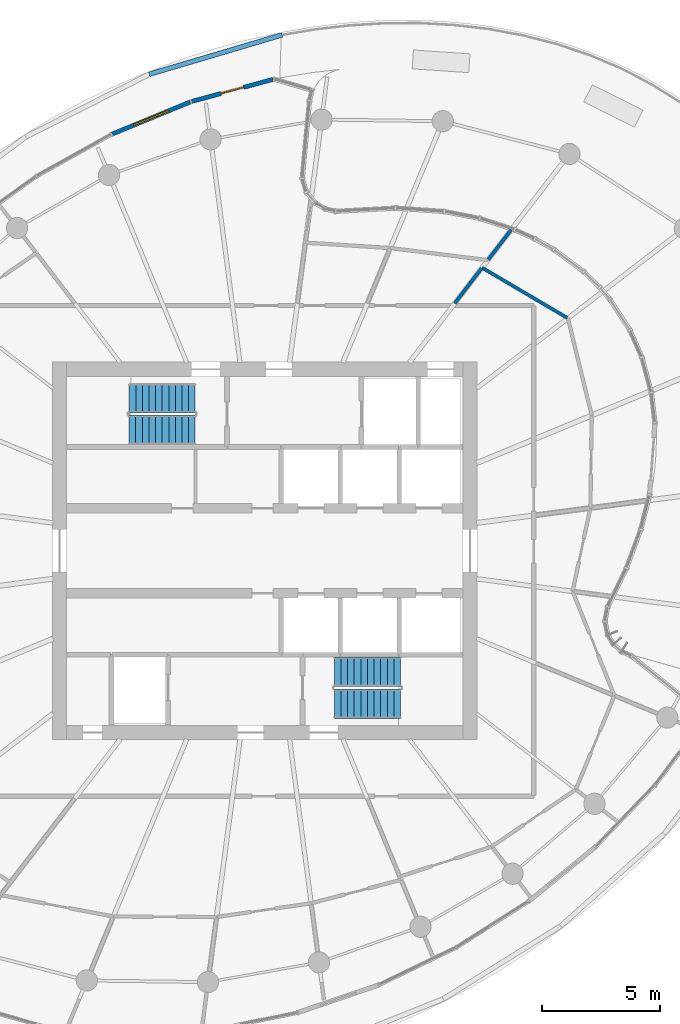
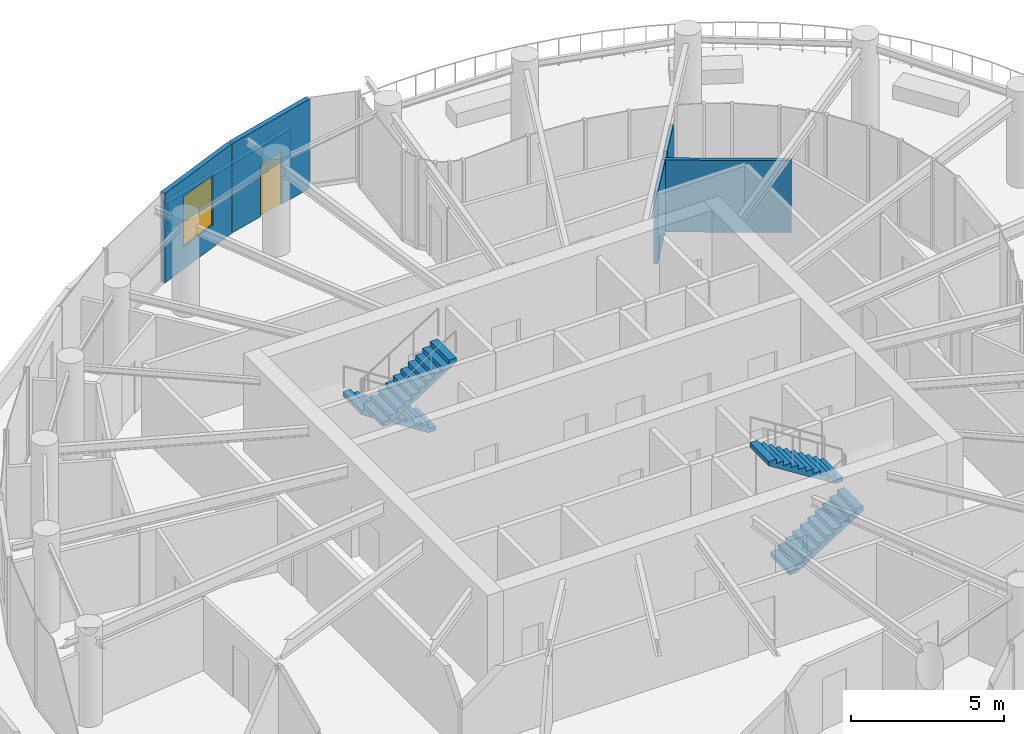
# One storey, part 15 of 19: 6 walls, 4 stair flights, 1 door, 1 window, 2 openings, 2 elements without a shape of their own.
"""IFC4 building model written with IfcOpenShell, lengths in metres."""

from ifc_helpers import new_model, si_unit, direction, frame, frame_2d, origin, place, context, subcontext, project, spatial, line, indexed_curve, rectangle, outline, extrude, source, transform, mapped, material, layer, layer_set, type_object, element, fill, aggregate, save


model = new_model("IFC4")

# Units and contexts
model_context = context("Model", 3, precision=1e-05, world=origin(), true_north=direction((0.0, 1.0)))
body_context = subcontext(model_context, "Body", "Model", "MODEL_VIEW")
ifc_project = project(units=[si_unit("LENGTHUNIT", "METRE"), si_unit("AREAUNIT", "SQUARE_METRE"), si_unit("VOLUMEUNIT", "CUBIC_METRE"), si_unit("PLANEANGLEUNIT", "RADIAN"), si_unit("MASSUNIT", "GRAM", prefix="KILO")], contexts=[model_context])

# Site, building, storey
site_placement = place(None, origin())
site = spatial("IfcSite", under=ifc_project, at=site_placement, CompositionType="ELEMENT")
building_placement = place(site_placement, origin())
building = spatial("IfcBuilding", under=site, at=building_placement, Name="Spindrift Exchange Tower", CompositionType="ELEMENT")
storey_placement = place(building_placement, frame((0.0, 0.0, 183.800048828125)))
storey = spatial("IfcBuildingStorey", under=building, at=storey_placement, Name="L44", CompositionType="ELEMENT", Elevation=183.800048828125)

# Wall
ifc_material_1 = material(Name="Concrete 40 MPa", Category="concrete")
ifc_layer_1 = layer(ifc_material_1, 0.199951171875)
ifc_layer_set_1 = layer_set([ifc_layer_1], Name="LEDGE PARAPET 1100")
wall_type_1 = type_object("IfcWallType", Name="LEDGE PARAPET 1100", PredefinedType="PARAPET", material=ifc_layer_set_1)
wall_1_placement = place(storey_placement, frame((47.103515625, 68.19921875, 0.0), z_axis=(0.0, 0.0, 1.0), x_axis=(0.958796433712, 0.284093996241, 0.0)))
element("IfcWall", 1, at=wall_1_placement, inside=storey, type_object=wall_type_1, Name="L44 Ledge Parapet 17", PredefinedType="PARAPET", context=body_context, shape_type="SweptSolid", body=[
    extrude(rectangle(XDim=5.86767578125, YDim=0.199951171875, at=frame_2d((2.933837890625, 0.0))), origin(), (0.0, 0.0, 1.0), 1.099853515625),
])

# Wall, opening, door
ifc_material_2 = material(Name="Bronze anodised aluminium frame with fritted laminated glass spandrel", Category="aluminium")
ifc_layer_2 = layer(ifc_material_2, 0.179931640625)
ifc_layer_set_2 = layer_set([ifc_layer_2], Name="UNITISED FRAME WALL")
wall_type_2 = type_object("IfcWallType", Name="UNITISED FRAME WALL", PredefinedType="STANDARD", material=ifc_layer_set_2)
wall_2_placement = place(storey_placement, frame((52.352294921875, 67.984619140625, 0.0), z_axis=(0.0, 0.0, 1.0), x_axis=(-0.964955707813, -0.262412808299, 0.0)))
wall_2 = element("IfcWall", 2, at=wall_2_placement, inside=storey, type_object=wall_type_2, Name="L44 Frame Wall 1", PredefinedType="STANDARD", context=body_context, shape_type="SweptSolid", body=[
    extrude(rectangle(XDim=3.5771484375, YDim=0.179931640625, at=frame_2d((1.78857421875, 0.0))), origin(), (0.0, 0.0, 1.0), 3.579833984375),
])
opening_1_placement = place(wall_2_placement, frame((1.288818359375, 0.0, 0.0)))
opening_1 = element("IfcOpeningElement", 3, at=opening_1_placement, cuts=wall_2, Name="Opening ED44-2", PredefinedType="OPENING", context=body_context, shape_type="SweptSolid", body=[
    extrude(rectangle(XDim=1.0, YDim=2.10009765625, at=frame_2d((0.5, 1.050048828125))), frame((0.0, 0.099853515625, 0.0), z_axis=(0.0, -1.0, 0.0), x_axis=(1.0, 0.0, 0.0)), (0.0, 0.0, 1.0), 0.199951171875),
])
ifc_material_3 = material(Name="Galvanised steel door leaf, polyester powder coat", Category="steel")
door_type = type_object("IfcDoorType", Name="MAINTENANCE ACCESS DOOR 1000X2100", OperationType="SINGLE_SWING_LEFT", PredefinedType="DOOR", material=ifc_material_3)
shared_shape_1 = source(origin(), body_context, "Body", "SweptSolid", [
    extrude(rectangle(XDim=1.0, YDim=2.10009765625, at=frame_2d((0.5, 1.050048828125))), frame((0.0, 0.02490234375, 0.0), z_axis=(0.0, -1.0, 0.0), x_axis=(1.0, 0.0, 0.0)), (0.0, 0.0, 1.0), 0.050048828125),
])
door_placement = place(opening_1_placement, origin())
door = element("IfcDoor", 4, at=door_placement, inside=storey, type_object=door_type, Name="L44 Maintenance Access Door ED44-2", OperationType="SINGLE_SWING_LEFT", OverallHeight=2.10009765625, OverallWidth=1.0, PredefinedType="DOOR", context=body_context, shape_type="MappedRepresentation", body=[
    mapped(shared_shape_1, transform((0.0, 0.0, 0.0), scale=1.0)),
])
fill(opening_1, door)

# Wall, opening, window
wall_3_placement = place(storey_placement, frame((48.8388671875, 67.02490234375, 0.0), z_axis=(0.0, 0.0, 1.0), x_axis=(-0.924793951739, -0.380468325655, 0.0)))
wall_3 = element("IfcWall", 5, at=wall_3_placement, inside=storey, type_object=wall_type_2, Name="L44 Frame Wall 2", PredefinedType="STANDARD", context=body_context, shape_type="SweptSolid", body=[
    extrude(rectangle(XDim=3.577392578125, YDim=0.179931640625, at=frame_2d((1.78857421875, 0.0))), origin(), (0.0, 0.0, 1.0), 3.579833984375),
])
opening_2_placement = place(wall_3_placement, frame((0.98876953125, 0.0, 0.89990234375)))
opening_2 = element("IfcOpeningElement", 6, at=opening_2_placement, cuts=wall_3, Name="Opening WV44-01", PredefinedType="OPENING", context=body_context, shape_type="SweptSolid", body=[
    extrude(rectangle(XDim=1.60009765625, YDim=2.0, at=frame_2d((0.800048828125, 1.0))), frame((0.0, 0.099853515625, 0.0), z_axis=(0.0, -1.0, 0.0), x_axis=(1.0, 0.0, 0.0)), (0.0, 0.0, 1.0), 0.199951171875),
])
ifc_material_4 = material(Name="Clear laminated low-iron glass in bronze frame", Category="glass")
window_type = type_object("IfcWindowType", Name="OPERABLE CLEAR VENT 1600X2000", PartitioningType="SINGLE_PANEL", PredefinedType="WINDOW", material=ifc_material_4)
shared_shape_2 = source(origin(), body_context, "Body", "SweptSolid", [
    extrude(rectangle(XDim=1.60009765625, YDim=2.0, at=frame_2d((0.800048828125, 1.0))), frame((0.0, 0.030029296875, 0.0), z_axis=(0.0, -1.0, 0.0), x_axis=(1.0, 0.0, 0.0)), (0.0, 0.0, 1.0), 0.06005859375),
])
window_placement = place(opening_2_placement, origin())
window = element("IfcWindow", 7, at=window_placement, inside=storey, type_object=window_type, Name="L44 Operable Vent WV44-01", OverallHeight=2.0, OverallWidth=1.60009765625, PartitioningType="SINGLE_PANEL", PredefinedType="WINDOW", context=body_context, shape_type="MappedRepresentation", body=[
    mapped(shared_shape_2, transform((0.0, 0.0, 0.0), scale=1.0)),
])
fill(opening_2, window)

# Walls
ifc_material_5 = material(Name="Fire-rated plasterboard partition", Category="gypsum")
ifc_layer_3 = layer(ifc_material_5, 0.139892578125)
ifc_layer_set_3 = layer_set([ifc_layer_3], Name="W-PART-140")
wall_type_3 = type_object("IfcWallType", Name="W-PART-140", PredefinedType="PARTITIONING", material=ifc_layer_set_3)
wall_4_placement = place(storey_placement, frame((64.820068359375, 57.8720703125, 0.0), z_axis=(0.0, 0.0, 1.0), x_axis=(-0.861535732384, 0.507696938957, 0.0)))
element("IfcWall", 8, at=wall_4_placement, inside=storey, type_object=wall_type_3, Name="L44 Partition wall 48", PredefinedType="PARTITIONING", context=body_context, shape_type="SweptSolid", body=[
    extrude(rectangle(XDim=4.1923828125, YDim=0.139892578125, at=frame_2d((2.09619140625, 0.0))), origin(), (0.0, 0.0, 1.0), 2.8798828125),
])
wall_5_placement = place(storey_placement, frame((60.04931640625, 58.489990234375, 0.0), z_axis=(0.0, 0.0, 1.0), x_axis=(0.60874059601, 0.793369325579, 0.0)))
element("IfcWall", 9, at=wall_5_placement, inside=storey, type_object=wall_type_3, Name="L44 Partition wall 70", PredefinedType="PARTITIONING", context=body_context, shape_type="SweptSolid", body=[
    extrude(rectangle(XDim=1.873779296875, YDim=0.139892578125, at=frame_2d((0.93701171875, 0.0))), origin(), (0.0, 0.0, 1.0), 2.8798828125),
])
wall_6_placement = place(storey_placement, frame((61.47216796875, 60.34423828125, 0.0), z_axis=(0.0, 0.0, 1.0), x_axis=(0.608719514622, 0.793385500572, 0.0)))
element("IfcWall", 10, at=wall_6_placement, inside=storey, type_object=wall_type_3, Name="L44 Partition wall 77", PredefinedType="PARTITIONING", context=body_context, shape_type="SweptSolid", body=[
    extrude(rectangle(XDim=1.583740234375, YDim=0.139892578125, at=frame_2d((0.7919921875, 0.0))), origin(), (0.0, 0.0, 1.0), 2.8798828125),
])

# Stair, stair flights
ifc_material_6 = material(Name="Concrete 50 MPa", Category="concrete")
stair_type = type_object("IfcStairType", Name="ST-1250-R177", PredefinedType="HALF_TURN_STAIR", material=ifc_material_6)
stair_1_placement = place(storey_placement, origin())
stair_1 = element("IfcStair", 11, at=stair_1_placement, inside=storey, type_object=stair_type, Name="L44 Exit stair ST1", PredefinedType="HALF_TURN_STAIR")
stair_flight_type = type_object("IfcStairFlightType", Name="STF-1250-R177", PredefinedType="STRAIGHT", material=ifc_material_6)
stair_flight_1_placement = place(storey_placement, frame((49.050048828125, 54.47509765625, 0.0), z_axis=(0.0, 0.0, 1.0), x_axis=(-1.0, 0.0, 0.0)))
stair_flight_1 = element("IfcStairFlight", 12, at=stair_flight_1_placement, type_object=stair_flight_type, Name="ST1 flight 1", NumberOfRisers=11, NumberOfTreads=10, PredefinedType="STRAIGHT", RiserHeight=0.177272727, TreadLength=0.28, context=body_context, shape_type="SweptSolid", body=[
    extrude(outline(indexed_curve([(0.0, 0.0), (0.0, 0.177734375), (0.2802734375, 0.177734375), (0.2802734375, 0.3544921875), (0.5595703125, 0.3544921875), (0.5595703125, 0.5322265625), (0.83984375, 0.5322265625), (0.83984375, 0.708984375), (1.1201171875, 0.708984375), (1.1201171875, 0.88671875), (1.400390625, 0.88671875), (1.400390625, 1.0634765625), (1.6796875, 1.0634765625), (1.6796875, 1.2412109375), (1.9599609375, 1.2412109375), (1.9599609375, 1.41796875), (2.240234375, 1.41796875), (2.240234375, 1.595703125), (2.51953125, 1.595703125), (2.51953125, 1.7724609375), (2.7998046875, 1.7724609375), (2.7998046875, 1.9501953125), (2.7998046875, 1.595703125), (0.2802734375, 0.0)], segments=[line(1, 2, 3, 4, 5, 6, 7, 8, 9, 10, 11, 12, 13, 14, 15, 16, 17, 18, 19, 20, 21, 22, 23, 24, 1)], self_intersect=False)), frame((0.0, 0.625, 0.0), z_axis=(0.0, -1.0, 0.0), x_axis=(1.0, 0.0, 0.0)), (0.0, 0.0, 1.0), 1.25),
])
stair_flight_2_placement = place(storey_placement, frame((46.25, 53.125, 1.949951171875), z_axis=(0.0, 0.0, 1.0), x_axis=(1.0, 0.0, 0.0)))
stair_flight_2 = element("IfcStairFlight", 13, at=stair_flight_2_placement, type_object=stair_flight_type, Name="ST1 flight 2", NumberOfRisers=11, NumberOfTreads=10, PredefinedType="STRAIGHT", RiserHeight=0.177272727, TreadLength=0.28, context=body_context, shape_type="SweptSolid", body=[
    extrude(outline(indexed_curve([(0.0, 0.0), (0.0, 0.177734375), (0.2802734375, 0.177734375), (0.2802734375, 0.3544921875), (0.5595703125, 0.3544921875), (0.5595703125, 0.5322265625), (0.83984375, 0.5322265625), (0.83984375, 0.708984375), (1.1201171875, 0.708984375), (1.1201171875, 0.88671875), (1.400390625, 0.88671875), (1.400390625, 1.0634765625), (1.6796875, 1.0634765625), (1.6796875, 1.2412109375), (1.9599609375, 1.2412109375), (1.9599609375, 1.41796875), (2.240234375, 1.41796875), (2.240234375, 1.595703125), (2.51953125, 1.595703125), (2.51953125, 1.7724609375), (2.7998046875, 1.7724609375), (2.7998046875, 1.9501953125), (2.7998046875, 1.595703125), (0.2802734375, 0.0)], segments=[line(1, 2, 3, 4, 5, 6, 7, 8, 9, 10, 11, 12, 13, 14, 15, 16, 17, 18, 19, 20, 21, 22, 23, 24, 1)], self_intersect=False)), frame((0.0, 0.625, 0.0), z_axis=(0.0, -1.0, 0.0), x_axis=(1.0, 0.0, 0.0)), (0.0, 0.0, 1.0), 1.25),
])
aggregate(stair_1, [stair_flight_1, stair_flight_2])

stair_2_placement = place(storey_placement, origin())
stair_2 = element("IfcStair", 14, at=stair_2_placement, inside=storey, type_object=stair_type, Name="L44 Exit stair ST2", PredefinedType="HALF_TURN_STAIR")
stair_flight_3_placement = place(storey_placement, frame((54.949951171875, 41.52490234375, 0.0), z_axis=(0.0, 0.0, 1.0), x_axis=(1.0, 0.0, 0.0)))
stair_flight_3 = element("IfcStairFlight", 15, at=stair_flight_3_placement, type_object=stair_flight_type, Name="ST2 flight 1", NumberOfRisers=11, NumberOfTreads=10, PredefinedType="STRAIGHT", RiserHeight=0.177272727, TreadLength=0.28, context=body_context, shape_type="SweptSolid", body=[
    extrude(outline(indexed_curve([(0.0, 0.0), (0.0, 0.177734375), (0.2802734375, 0.177734375), (0.2802734375, 0.3544921875), (0.5595703125, 0.3544921875), (0.5595703125, 0.5322265625), (0.83984375, 0.5322265625), (0.83984375, 0.708984375), (1.1201171875, 0.708984375), (1.1201171875, 0.88671875), (1.400390625, 0.88671875), (1.400390625, 1.0634765625), (1.6796875, 1.0634765625), (1.6796875, 1.2412109375), (1.9599609375, 1.2412109375), (1.9599609375, 1.41796875), (2.240234375, 1.41796875), (2.240234375, 1.595703125), (2.51953125, 1.595703125), (2.51953125, 1.7724609375), (2.7998046875, 1.7724609375), (2.7998046875, 1.9501953125), (2.7998046875, 1.595703125), (0.2802734375, 0.0)], segments=[line(1, 2, 3, 4, 5, 6, 7, 8, 9, 10, 11, 12, 13, 14, 15, 16, 17, 18, 19, 20, 21, 22, 23, 24, 1)], self_intersect=False)), frame((0.0, 0.625, 0.0), z_axis=(0.0, -1.0, 0.0), x_axis=(1.0, 0.0, 0.0)), (0.0, 0.0, 1.0), 1.25),
])
stair_flight_4_placement = place(storey_placement, frame((57.75, 42.875, 1.949951171875), z_axis=(0.0, 0.0, 1.0), x_axis=(-1.0, 0.0, 0.0)))
stair_flight_4 = element("IfcStairFlight", 16, at=stair_flight_4_placement, type_object=stair_flight_type, Name="ST2 flight 2", NumberOfRisers=11, NumberOfTreads=10, PredefinedType="STRAIGHT", RiserHeight=0.177272727, TreadLength=0.28, context=body_context, shape_type="SweptSolid", body=[
    extrude(outline(indexed_curve([(0.0, 0.0), (0.0, 0.177734375), (0.2802734375, 0.177734375), (0.2802734375, 0.3544921875), (0.5595703125, 0.3544921875), (0.5595703125, 0.5322265625), (0.83984375, 0.5322265625), (0.83984375, 0.708984375), (1.1201171875, 0.708984375), (1.1201171875, 0.88671875), (1.400390625, 0.88671875), (1.400390625, 1.0634765625), (1.6796875, 1.0634765625), (1.6796875, 1.2412109375), (1.9599609375, 1.2412109375), (1.9599609375, 1.41796875), (2.240234375, 1.41796875), (2.240234375, 1.595703125), (2.51953125, 1.595703125), (2.51953125, 1.7724609375), (2.7998046875, 1.7724609375), (2.7998046875, 1.9501953125), (2.7998046875, 1.595703125), (0.2802734375, 0.0)], segments=[line(1, 2, 3, 4, 5, 6, 7, 8, 9, 10, 11, 12, 13, 14, 15, 16, 17, 18, 19, 20, 21, 22, 23, 24, 1)], self_intersect=False)), frame((0.0, 0.625, 0.0), z_axis=(0.0, -1.0, 0.0), x_axis=(1.0, 0.0, 0.0)), (0.0, 0.0, 1.0), 1.25),
])
aggregate(stair_2, [stair_flight_3, stair_flight_4])

save(model, "model.ifc")
